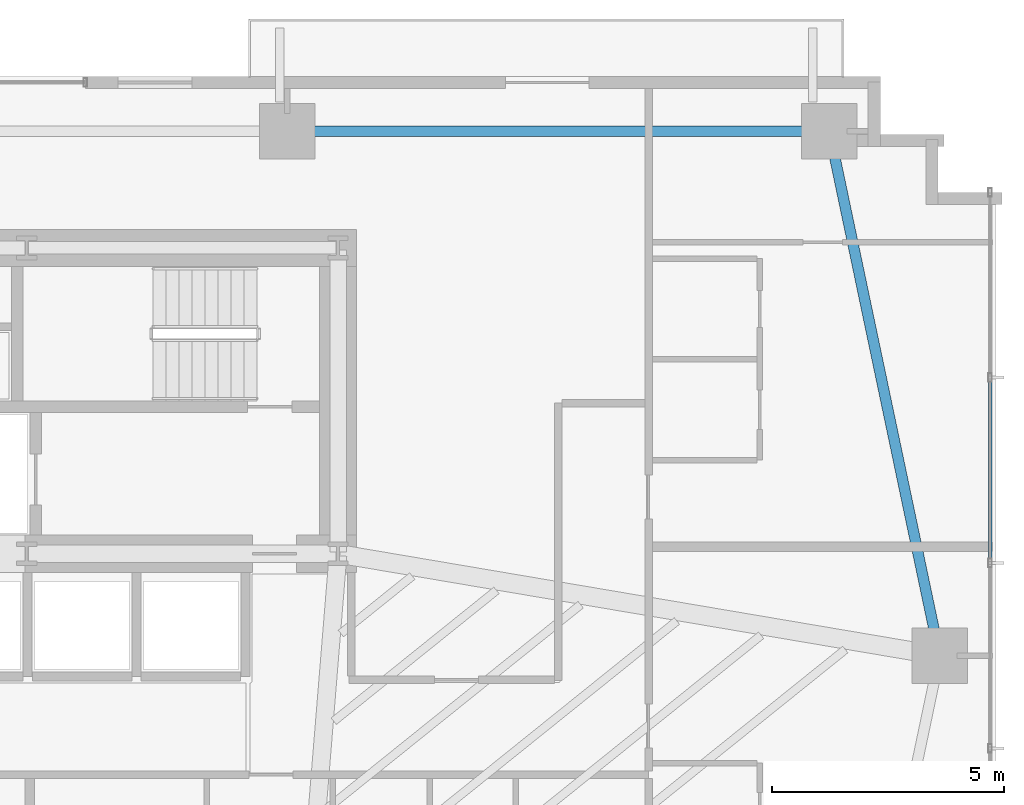
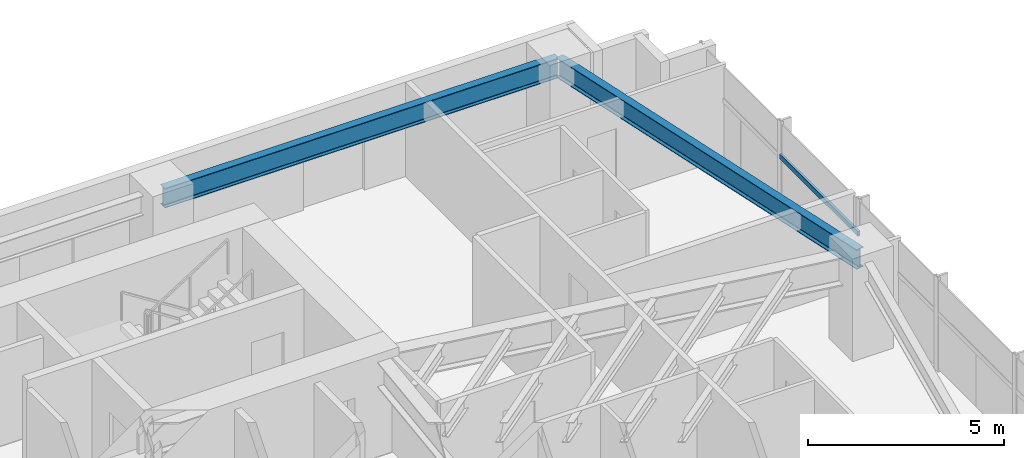
# One storey, part 16 of 25: 2 beams, 1 member, 1 element without a shape of its own.
"""IFC4 building model written with IfcOpenShell, lengths in metres."""

import ifcopenshell
import ifcopenshell.guid

model = None  # the IFC model being written
_history = None  # IfcOwnerHistory: only IFC2X3 demands one
_inside = {}  # id of a spatial element -> (the spatial element, [elements in it])
_under = {}  # id of a project, library or spatial element -> (it, [spatial elements below it])
_declared = {}  # id of a project -> (the project, [libraries it declares])
_typed = {}  # id of a type object -> (the type object, [elements of that type])
_made_of = {}  # id of a material, layer set ... -> (it, [elements and type objects made of it])


def new_model(schema):
    """Start an empty IFC model of exactly this schema.

    Asked for "IFC4X3", IfcOpenShell would pick the latest addendum, in which some entities
    have other attributes; the version numbers below select the first issue.
    IFC2X3 requires an IfcOwnerHistory on every rooted entity: one is made here for all.
    """
    global model, _history
    if schema == "IFC4X3":
        model = ifcopenshell.file(schema_version=(4, 3, 0, 0))
    else:
        model = ifcopenshell.file(schema=schema)
    _inside.clear()
    _under.clear()
    _declared.clear()
    _typed.clear()
    _made_of.clear()
    _history = None
    if model.schema == "IFC2X3":
        org = make("IfcOrganization", Name="unknown")
        user = make(
            "IfcPersonAndOrganization",
            ThePerson=make("IfcPerson", FamilyName="unknown"),
            TheOrganization=org,
        )
        app = make(
            "IfcApplication",
            ApplicationDeveloper=org,
            Version="unknown",
            ApplicationFullName="unknown",
            ApplicationIdentifier="unknown",
        )
        _history = make(
            "IfcOwnerHistory",
            OwningUser=user,
            OwningApplication=app,
            ChangeAction="ADDED",
            CreationDate=0,
        )
    return model


def make(cls, **values):
    """One entity of the class cls with the attributes given. An attribute that is None is left unset."""
    return model.create_entity(
        cls, **{name: value for name, value in values.items() if value is not None}
    )


def rooted(cls, **values):
    """An entity with a GlobalId (a new one), such as an element, a storey or a relation."""
    return make(cls, GlobalId=ifcopenshell.guid.new(), OwnerHistory=_history, **values)


def si_unit(unit_type, name, prefix=None):
    """IfcSIUnit, for example si_unit("LENGTHUNIT", "METRE", prefix="MILLI")."""
    return make("IfcSIUnit", UnitType=unit_type, Prefix=prefix, Name=name)


def assignment(units):
    """IfcUnitAssignment: the units of a project."""
    return None if units is None else make("IfcUnitAssignment", Units=units)


def point(xyz):
    """IfcCartesianPoint."""
    return None if xyz is None else make("IfcCartesianPoint", Coordinates=xyz)


def direction(xyz):
    """IfcDirection."""
    return None if xyz is None else make("IfcDirection", DirectionRatios=xyz)


def frame(location, z_axis=None, x_axis=None):
    """IfcAxis2Placement3D, a coordinate frame: its origin and axes. An axis left out is left unset."""
    return make(
        "IfcAxis2Placement3D",
        Location=point(location),
        Axis=direction(z_axis),
        RefDirection=direction(x_axis),
    )


def frame_2d(location, x_axis=None):
    """IfcAxis2Placement2D, a coordinate frame in the plane: its origin and x axis."""
    return make(
        "IfcAxis2Placement2D", Location=point(location), RefDirection=direction(x_axis)
    )


def origin():
    """The frame at (0, 0, 0) with its axes left unset."""
    return frame((0.0, 0.0, 0.0))


def origin_2d():
    """The frame at (0, 0) in the plane with its x axis left unset."""
    return frame_2d((0.0, 0.0))


def place(relative_to, where):
    """IfcLocalPlacement: puts the frame where relative to a parent placement (None: the world)."""
    return make(
        "IfcLocalPlacement", PlacementRelTo=relative_to, RelativePlacement=where
    )


def context(
    kind, dimensions, precision=None, world=None, true_north=None, identifier=None
):
    """IfcGeometricRepresentationContext, for example the 3D "Model" context."""
    return make(
        "IfcGeometricRepresentationContext",
        ContextIdentifier=identifier,
        ContextType=kind,
        CoordinateSpaceDimension=dimensions,
        Precision=precision,
        WorldCoordinateSystem=world,
        TrueNorth=true_north,
    )


def subcontext(parent, identifier, kind, view, scale=None):
    """IfcGeometricRepresentationSubContext, for example "Body" below "Model"."""
    return make(
        "IfcGeometricRepresentationSubContext",
        ContextIdentifier=identifier,
        ContextType=kind,
        ParentContext=parent,
        TargetScale=scale,
        TargetView=view,
    )


def project(units=None, contexts=None):
    """IfcProject with its units and contexts."""
    return rooted(
        "IfcProject",
        Name="project",
        RepresentationContexts=contexts,
        UnitsInContext=assignment(units),
    )


def spatial(cls, under=None, at=None, **own):
    """A site, building, storey or space (cls), placed at a placement, below another one or the project."""
    s = rooted(cls, ObjectPlacement=at, **own)
    if under is not None:
        _under.setdefault(under.id(), (under, []))[1].append(s)
    return s


def profile(cls, at=None, kind="AREA", **sizes):
    """A parametric profile (cls). Its sizes go by their IFC names, for example OverallWidth=200.0."""
    return make(cls, ProfileType=kind, Position=at, **sizes)


def hollow_rectangle(**sizes):
    """IfcRectangleHollowProfileDef."""
    return profile("IfcRectangleHollowProfileDef", **sizes)


def i_section(**sizes):
    """IfcIShapeProfileDef."""
    return profile("IfcIShapeProfileDef", **sizes)


def extrude(swept, where, along, depth):
    """IfcExtrudedAreaSolid: the profile swept, set in the frame where, extruded along a direction by depth."""
    return make(
        "IfcExtrudedAreaSolid",
        SweptArea=swept,
        Position=where,
        ExtrudedDirection=direction(along),
        Depth=depth,
    )


def shape(context_of_items, identifier, shape_type, items):
    """IfcShapeRepresentation: the items that make up one representation, for example the "Body"."""
    return make(
        "IfcShapeRepresentation",
        ContextOfItems=context_of_items,
        RepresentationIdentifier=identifier,
        RepresentationType=shape_type,
        Items=items,
    )


def source(mapping_origin, context_of_items, identifier, shape_type, items):
    """IfcRepresentationMap: a shape defined once, which mapped items show again and again."""
    return make(
        "IfcRepresentationMap",
        MappingOrigin=mapping_origin,
        MappedRepresentation=shape(context_of_items, identifier, shape_type, items),
    )


def transform(
    local_origin,
    x_axis=None,
    y_axis=None,
    z_axis=None,
    scale=None,
    scale2=None,
    scale3=None,
    uniform=True,
):
    """IfcCartesianTransformationOperator3D, or its non-uniform kind. x_axis, y_axis, z_axis: its Axis1, 2, 3."""
    if uniform:
        return make(
            "IfcCartesianTransformationOperator3D",
            Axis1=direction(x_axis),
            Axis2=direction(y_axis),
            LocalOrigin=point(local_origin),
            Scale=scale,
            Axis3=direction(z_axis),
        )
    return make(
        "IfcCartesianTransformationOperator3DnonUniform",
        Axis1=direction(x_axis),
        Axis2=direction(y_axis),
        LocalOrigin=point(local_origin),
        Scale=scale,
        Axis3=direction(z_axis),
        Scale2=scale2,
        Scale3=scale3,
    )


def mapped(mapping_source, mapping_target):
    """IfcMappedItem: shows the shape of a source again, moved by a transform."""
    return make(
        "IfcMappedItem", MappingSource=mapping_source, MappingTarget=mapping_target
    )


def material(Name=None, Category=None):
    """IfcMaterial."""
    return make("IfcMaterial", Name=Name, Category=Category)


def material_profile(
    of_material, cross_section, Name=None, Category=None, Priority=None
):
    """IfcMaterialProfile: a cross section and its material."""
    return make(
        "IfcMaterialProfile",
        Name=Name,
        Material=of_material,
        Profile=cross_section,
        Priority=Priority,
        Category=Category,
    )


def profile_set(profiles, Name=None, composite=None):
    """IfcMaterialProfileSet."""
    return make(
        "IfcMaterialProfileSet",
        Name=Name,
        MaterialProfiles=profiles,
        CompositeProfile=composite,
    )


def made_of(thing, what):
    """Note that an element or type object is made of a material, layer set ...; save() writes the relation."""
    if what is not None:
        _made_of.setdefault(what.id(), (what, []))[1].append(thing)
    return thing


def type_object(cls, material=None, **own):
    """A type object (cls), such as IfcWallType, which elements share."""
    return made_of(rooted(cls, **own), material)


def type_shapes(of_type, sources):
    """Give a type object the sources (RepresentationMaps) that its elements show as mapped items."""
    of_type.RepresentationMaps = sources


def element(
    cls,
    number,
    at=None,
    inside=None,
    cuts=None,
    type_object=None,
    material=None,
    context=None,
    identifier="Body",
    shape_type=None,
    held_by="IfcProductDefinitionShape",
    body=None,
    shapes=None,
    **own,
):
    """One element of the class cls, such as IfcWall. Its Tag is "e" and its number.

    at: its placement. inside: the storey or other place that contains it. cuts: it is an
    opening in that element (IfcRelVoidsElement). A single representation is given by context,
    identifier, shape_type and body (its items); several are given by shapes. held_by: the class
    of the entity that holds the representations. save() writes the other relations.
    """
    e = rooted(cls, Tag="e%d" % number, ObjectPlacement=at, **own)
    if body is not None:
        shapes = [shape(context, identifier, shape_type, body)]
    if shapes is not None:
        e.Representation = make(held_by, Representations=shapes)
    if inside is not None:
        _inside.setdefault(inside.id(), (inside, []))[1].append(e)
    if cuts is not None:
        rooted(
            "IfcRelVoidsElement", RelatingBuildingElement=cuts, RelatedOpeningElement=e
        )
    if type_object is not None:
        _typed.setdefault(type_object.id(), (type_object, []))[1].append(e)
    return made_of(e, material)


def aggregate(whole, parts):
    """IfcRelAggregates: a whole, such as a stair, and the parts it consists of."""
    return rooted("IfcRelAggregates", RelatingObject=whole, RelatedObjects=parts)


def save(model, path):
    """Write the relations noted so far, then the file.

    IfcRelAggregates (storeys below a building ...), IfcRelContainedInSpatialStructure (elements
    in a storey), IfcRelDefinesByType, IfcRelAssociatesMaterial and IfcRelDeclares: one each for
    every whole, place, type object, material and project.
    """
    for whole, parts in _under.values():
        aggregate(whole, parts)
    for where, things in _inside.values():
        rooted(
            "IfcRelContainedInSpatialStructure",
            RelatedElements=things,
            RelatingStructure=where,
        )
    for kind, things in _typed.values():
        rooted("IfcRelDefinesByType", RelatedObjects=things, RelatingType=kind)
    for what, things in _made_of.values():
        rooted("IfcRelAssociatesMaterial", RelatedObjects=things, RelatingMaterial=what)
    for by, libraries in _declared.values():
        rooted("IfcRelDeclares", RelatingContext=by, RelatedDefinitions=libraries)
    model.write(path)


model = new_model("IFC4")

# Units and contexts
model_context = context("Model", 3, precision=1e-05, world=origin(), true_north=direction((0.0, 1.0)))
body_context = subcontext(model_context, "Body", "Model", "MODEL_VIEW")
ifc_project = project(units=[si_unit("LENGTHUNIT", "METRE"), si_unit("AREAUNIT", "SQUARE_METRE"), si_unit("VOLUMEUNIT", "CUBIC_METRE"), si_unit("PLANEANGLEUNIT", "RADIAN"), si_unit("MASSUNIT", "GRAM", prefix="KILO")], contexts=[model_context])

# Site, building, storey
site_placement = place(None, origin())
site = spatial("IfcSite", under=ifc_project, at=site_placement, CompositionType="ELEMENT")
building_placement = place(site_placement, origin())
building = spatial("IfcBuilding", under=site, at=building_placement, Name="Astriad Promenade Condominiums", CompositionType="ELEMENT")
storey_placement = place(building_placement, frame((0.0, 0.0, 48.60009765625)))
storey = spatial("IfcBuildingStorey", under=building, at=storey_placement, Name="L13", CompositionType="ELEMENT", Elevation=48.60009765625)

# Beams
ifc_material_1 = material(Name="Steel ASTM A992 Grade 50", Category="steel")
ifc_material_profile_1 = material_profile(ifc_material_1, i_section(OverallWidth=0.22900390625, OverallDepth=0.612060546875, WebThickness=0.011962890625, FlangeThickness=0.01953125, FilletRadius=0.017822265625, at=origin_2d()), Name="W24X84")
ifc_profile_set_1 = profile_set([ifc_material_profile_1], Name="Steel ASTM A992 Grade 50")
beam_type = type_object("IfcBeamType", Name="STEEL SPANDREL BEAM W24X84", PredefinedType="SPANDREL", material=ifc_profile_set_1)
shared_shape_1 = source(origin(), body_context, "Body", "SweptSolid", [
    extrude(i_section(OverallWidth=0.22900390625, OverallDepth=0.612060546875, WebThickness=0.011962890625, FlangeThickness=0.01953125, FilletRadius=0.017822265625, at=origin_2d()), origin(), (0.0, 0.0, 1.0), 11.619873046875),
])
beam_1_placement = place(storey_placement, frame((56.159912109375, 26.52001953125, 2.6337890625), z_axis=(-1.0, 0.0, 0.0), x_axis=(0.0, -1.0, 0.0)))
element("IfcBeam", 1, at=beam_1_placement, inside=storey, type_object=beam_type, Name="Perimeter Spandrel Beam SP-N4-L13", PredefinedType="SPANDREL", context=body_context, shape_type="MappedRepresentation", body=[
    mapped(shared_shape_1, transform((0.0, 0.0, 0.0), scale=1.0)),
])
shared_shape_2 = source(origin(), body_context, "Body", "SweptSolid", [
    extrude(i_section(OverallWidth=0.22900390625, OverallDepth=0.612060546875, WebThickness=0.011962890625, FlangeThickness=0.01953125, FilletRadius=0.017822265625, at=origin_2d()), origin(), (0.0, 0.0, 1.0), 11.48779296875),
])
type_shapes(beam_type, [shared_shape_1, shared_shape_2])
beam_2_placement = place(storey_placement, frame((58.57177734375, 15.239013671875, 2.6337890625), z_axis=(-0.205743776427, 0.978605895374, 0.0), x_axis=(-0.978605895374, -0.205743776427, 0.0)))
element("IfcBeam", 2, at=beam_2_placement, inside=storey, type_object=beam_type, Name="Perimeter Spandrel Beam SP-E2-L13", PredefinedType="SPANDREL", context=body_context, shape_type="MappedRepresentation", body=[
    mapped(shared_shape_2, transform((0.0, 0.0, 0.0), scale=1.0)),
])

# Curtain wall, member
ifc_material_2 = material(Name="Anodised aluminium Black Dark Glass Unitised", Category="aluminium")
curtain_wall_type = type_object("IfcCurtainWallType", Name="CW-B1-DARK", PredefinedType="USERDEFINED", material=ifc_material_2)
curtain_wall_placement = place(storey_placement, origin())
curtain_wall = element("IfcCurtainWall", 3, at=curtain_wall_placement, inside=storey, type_object=curtain_wall_type, Name="CW-L13-E", ObjectType="UNITISED_CURTAIN_WALL", PredefinedType="USERDEFINED")
ifc_material_3 = material(Name="Anodised aluminium 6063-T6 Black", Category="aluminium")
ifc_material_profile_2 = material_profile(ifc_material_3, hollow_rectangle(XDim=0.074951171875, YDim=0.14990234375, WallThickness=0.004150390625, at=origin_2d()), Name="ALU-TRN-75X150")
ifc_profile_set_2 = profile_set([ifc_material_profile_2], Name="Anodised aluminium 6063-T6 Black")
member_type = type_object("IfcMemberType", Name="TRN-ALU-TRN-75X150", PredefinedType="USERDEFINED", material=ifc_profile_set_2)
shared_shape_3 = source(origin(), body_context, "Body", "SweptSolid", [
    extrude(hollow_rectangle(XDim=0.074951171875, YDim=0.14990234375, WallThickness=0.004150390625, at=origin_2d()), origin(), (0.0, 0.0, 1.0), 4.0),
])
type_shapes(member_type, [shared_shape_3])
member_placement = place(storey_placement, frame((59.669921875, 21.199951171875, 1.82275390625), z_axis=(0.0, -1.0, 0.0), x_axis=(1.0, 0.0, 0.0)))
member = element("IfcMember", 4, at=member_placement, type_object=member_type, Name="CW-L13-E-TRN-01-0", ObjectType="TRANSOM", PredefinedType="USERDEFINED", context=body_context, shape_type="MappedRepresentation", body=[
    mapped(shared_shape_3, transform((0.0, 0.0, 0.0), scale=1.0)),
])
aggregate(curtain_wall, [member])

save(model, "model.ifc")
